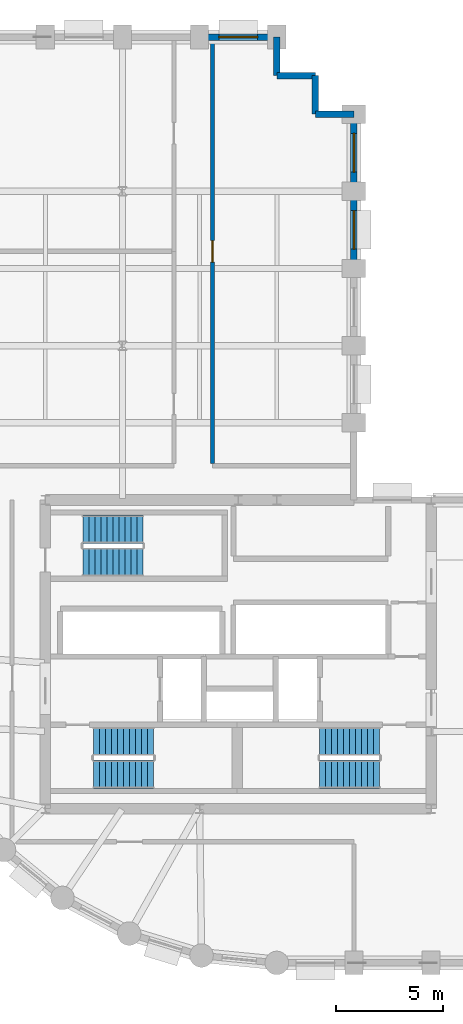
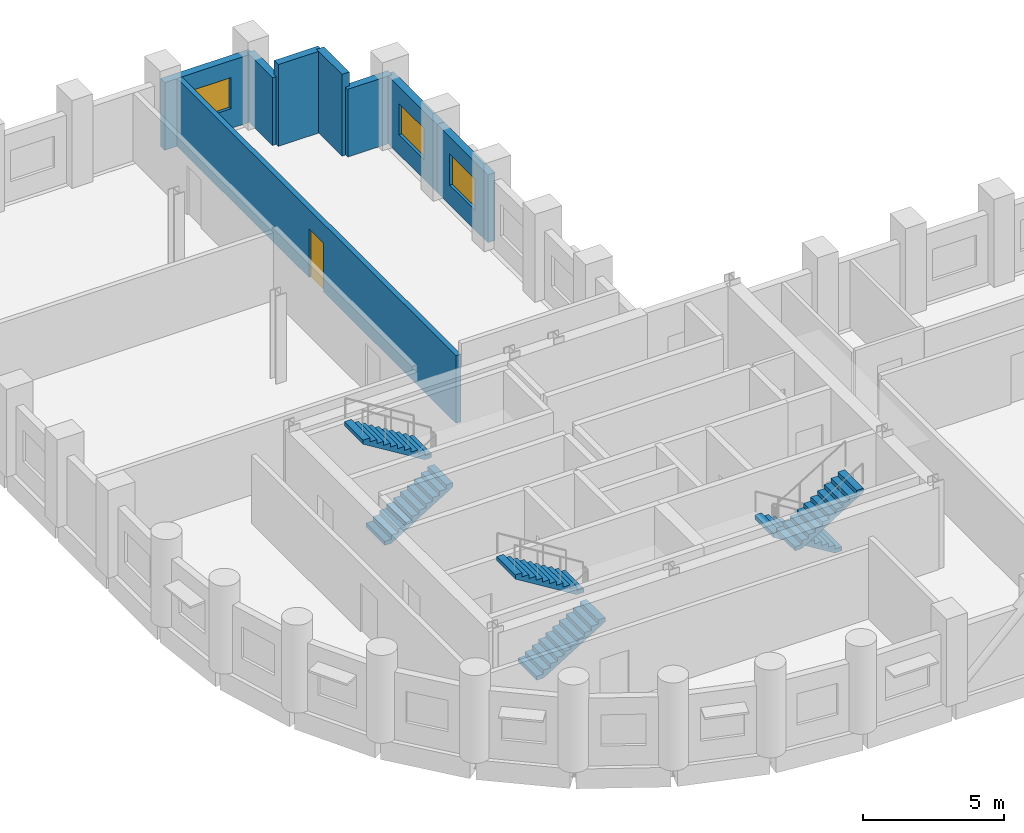
# One storey, part 6 of 8: 8 walls, 6 stair flights, 3 windows, 1 door, 4 openings, 3 elements without a shape of their own.
"""IFC4 building model written with IfcOpenShell, lengths in metres."""

from ifc_helpers import new_model, si_unit, direction, frame, frame_2d, origin, place, context, subcontext, project, spatial, polyline, rectangle, outline, extrude, material, layer, layer_set, type_object, element, fill, aggregate, save


model = new_model("IFC4")

# Units and contexts
model_context = context("Model", 3, precision=1e-05, world=origin(), true_north=direction((0.0, 1.0)))
body_context = subcontext(model_context, "Body", "Model", "MODEL_VIEW")
ifc_project = project(units=[si_unit("LENGTHUNIT", "METRE"), si_unit("AREAUNIT", "SQUARE_METRE"), si_unit("VOLUMEUNIT", "CUBIC_METRE"), si_unit("PLANEANGLEUNIT", "RADIAN"), si_unit("MASSUNIT", "GRAM", prefix="KILO")], contexts=[model_context])

# Site, building, storey
site_placement = place(None, origin())
site = spatial("IfcSite", under=ifc_project, at=site_placement, CompositionType="ELEMENT")
building_placement = place(site_placement, origin())
building = spatial("IfcBuilding", under=site, at=building_placement, Name="Solnavia Interchange Tower", CompositionType="ELEMENT")
storey_placement = place(building_placement, frame((0.0, 0.0, 120.0)))
storey = spatial("IfcBuildingStorey", under=building, at=storey_placement, Name="L29", CompositionType="ELEMENT", Elevation=120.0)

# Wall, opening, window
ifc_material_1 = material(Name="Concrete C40/50", Category="concrete")
ifc_layer_1 = layer(ifc_material_1, 0.300048828125)
ifc_layer_set_1 = layer_set([ifc_layer_1], Name="Concrete C40/50")
wall_type_1 = type_object("IfcWallType", Name="Wall-ExtSpandrel-300", PredefinedType="STANDARD", material=ifc_layer_set_1)
wall_1_placement = place(storey_placement, frame((28.800048828125, 39.60009765625, 0.0), z_axis=(0.0, 0.0, 1.0), x_axis=(0.0, -1.0, 0.0)))
wall_1 = element("IfcWall", 1, at=wall_1_placement, inside=storey, type_object=wall_type_1, Name="EXW-L29-31 Exterior precast spandrel wall", PredefinedType="STANDARD", context=body_context, shape_type="SweptSolid", body=[
    extrude(rectangle(XDim=3.60009765625, YDim=0.300048828125, at=frame_2d((1.800048828125, 0.0))), origin(), (0.0, 0.0, 1.0), 2.929931640625),
])
opening_1_placement = place(wall_1_placement, frame((0.89990234375, 0.0, 0.85009765625)))
opening_1 = element("IfcOpeningElement", 2, at=opening_1_placement, cuts=wall_1, Name="Opening WIN-02", PredefinedType="OPENING", context=body_context, shape_type="SweptSolid", body=[
    extrude(rectangle(XDim=1.800048828125, YDim=1.35009765625, at=frame_2d((0.89990234375, 0.675048828125))), frame((0.0, 0.16015625, 0.0), z_axis=(0.0, -1.0, 0.0), x_axis=(1.0, 0.0, 0.0)), (0.0, 0.0, 1.0), 0.320068359375),
])
ifc_material_2 = material(Name="Thermal-Break Aluminium & Low-E Glass", Category="aluminium")
window_type = type_object("IfcWindowType", Name="Window-Ribbon-1800x1350", PartitioningType="SINGLE_PANEL", PredefinedType="WINDOW", material=ifc_material_2)
window_1_placement = place(opening_1_placement, origin())
window_1 = element("IfcWindow", 3, at=window_1_placement, inside=storey, type_object=window_type, Name="WIN-L29-31 Facade ribbon window", OverallHeight=1.35009765625, OverallWidth=1.800048828125, PartitioningType="SINGLE_PANEL", PredefinedType="WINDOW", context=body_context, shape_type="SweptSolid", body=[
    extrude(rectangle(XDim=1.800048828125, YDim=1.35009765625, at=frame_2d((0.89990234375, 0.675048828125))), frame((0.0, 0.030029296875, 0.0), z_axis=(0.0, -1.0, 0.0), x_axis=(1.0, 0.0, 0.0)), (0.0, 0.0, 1.0), 0.06005859375),
])
fill(opening_1, window_1)

wall_2_placement = place(storey_placement, frame((28.800048828125, 43.199951171875, 0.0), z_axis=(0.0, 0.0, 1.0), x_axis=(0.0, -1.0, 0.0)))
wall_2 = element("IfcWall", 4, at=wall_2_placement, inside=storey, type_object=wall_type_1, Name="EXW-L29-32 Exterior precast spandrel wall", PredefinedType="STANDARD", context=body_context, shape_type="SweptSolid", body=[
    extrude(rectangle(XDim=3.599853515625, YDim=0.300048828125, at=frame_2d((1.7998046875, 0.0))), origin(), (0.0, 0.0, 1.0), 2.929931640625),
])
opening_2_placement = place(wall_2_placement, frame((0.89990234375, 0.0, 0.85009765625)))
opening_2 = element("IfcOpeningElement", 5, at=opening_2_placement, cuts=wall_2, Name="Opening WIN-02", PredefinedType="OPENING", context=body_context, shape_type="SweptSolid", body=[
    extrude(rectangle(XDim=1.800048828125, YDim=1.35009765625, at=frame_2d((0.89990234375, 0.675048828125))), frame((0.0, 0.16015625, 0.0), z_axis=(0.0, -1.0, 0.0), x_axis=(1.0, 0.0, 0.0)), (0.0, 0.0, 1.0), 0.320068359375),
])
window_2_placement = place(opening_2_placement, origin())
window_2 = element("IfcWindow", 6, at=window_2_placement, inside=storey, type_object=window_type, Name="WIN-L29-32 Facade ribbon window", OverallHeight=1.35009765625, OverallWidth=1.800048828125, PartitioningType="SINGLE_PANEL", PredefinedType="WINDOW", context=body_context, shape_type="SweptSolid", body=[
    extrude(rectangle(XDim=1.800048828125, YDim=1.35009765625, at=frame_2d((0.89990234375, 0.675048828125))), frame((0.0, 0.030029296875, 0.0), z_axis=(0.0, -1.0, 0.0), x_axis=(1.0, 0.0, 0.0)), (0.0, 0.0, 1.0), 0.06005859375),
])
fill(opening_2, window_2)

# Walls
wall_3_placement = place(storey_placement, frame((27.0, 43.199951171875, 0.0), z_axis=(0.0, 0.0, 1.0), x_axis=(1.0, 0.0, 0.0)))
element("IfcWall", 7, at=wall_3_placement, inside=storey, type_object=wall_type_1, Name="EXW-L29-33 Exterior precast spandrel wall", PredefinedType="STANDARD", context=body_context, shape_type="SweptSolid", body=[
    extrude(rectangle(XDim=1.800048828125, YDim=0.300048828125, at=frame_2d((0.89990234375, 0.0))), origin(), (0.0, 0.0, 1.0), 2.929931640625),
])
for number, where, z_axis, x_axis, name in (
    (8, (27.0, 43.199951171875, 0.0), (0.0, 0.0, 1.0), (0.0, 1.0, 0.0), "EXW-L29-34 Exterior precast spandrel wall"),
    (9, (25.199951171875, 45.0, 0.0), (0.0, 0.0, 1.0), (1.0, 0.0, 0.0), "EXW-L29-35 Exterior precast spandrel wall"),
):
    element("IfcWall", number, at=place(storey_placement, frame(where, z_axis=z_axis, x_axis=x_axis)), inside=storey, type_object=wall_type_1, Name=name, PredefinedType="STANDARD", context=body_context, shape_type="SweptSolid", body=[
        extrude(rectangle(XDim=1.800048828125, YDim=0.300048828125, at=frame_2d((0.89990234375, 0.0))), origin(), (0.0, 0.0, 1.0), 3.534912109375),
    ])
wall_4_placement = place(storey_placement, frame((25.199951171875, 45.0, 0.0), z_axis=(0.0, 0.0, 1.0), x_axis=(0.0, 1.0, 0.0)))
element("IfcWall", 10, at=wall_4_placement, inside=storey, type_object=wall_type_1, Name="EXW-L29-36 Exterior precast spandrel wall", PredefinedType="STANDARD", context=body_context, shape_type="SweptSolid", body=[
    extrude(rectangle(XDim=1.800048828125, YDim=0.300048828125, at=frame_2d((0.89990234375, 0.0))), origin(), (0.0, 0.0, 1.0), 2.929931640625),
])

# Wall, opening, window
wall_5_placement = place(storey_placement, frame((21.60009765625, 46.800048828125, 0.0), z_axis=(0.0, 0.0, 1.0), x_axis=(1.0, 0.0, 0.0)))
wall_5 = element("IfcWall", 11, at=wall_5_placement, inside=storey, type_object=wall_type_1, Name="EXW-L29-37 Exterior precast spandrel wall", PredefinedType="STANDARD", context=body_context, shape_type="SweptSolid", body=[
    extrude(rectangle(XDim=3.599853515625, YDim=0.300048828125, at=frame_2d((1.7998046875, 0.0))), origin(), (0.0, 0.0, 1.0), 2.929931640625),
])
opening_3_placement = place(wall_5_placement, frame((0.89990234375, 0.0, 0.85009765625)))
opening_3 = element("IfcOpeningElement", 12, at=opening_3_placement, cuts=wall_5, Name="Opening WIN-02", PredefinedType="OPENING", context=body_context, shape_type="SweptSolid", body=[
    extrude(rectangle(XDim=1.800048828125, YDim=1.35009765625, at=frame_2d((0.89990234375, 0.675048828125))), frame((0.0, 0.16015625, 0.0), z_axis=(0.0, -1.0, 0.0), x_axis=(1.0, 0.0, 0.0)), (0.0, 0.0, 1.0), 0.320068359375),
])
window_3_placement = place(opening_3_placement, origin())
window_3 = element("IfcWindow", 13, at=window_3_placement, inside=storey, type_object=window_type, Name="WIN-L29-37 Facade ribbon window", OverallHeight=1.35009765625, OverallWidth=1.800048828125, PartitioningType="SINGLE_PANEL", PredefinedType="WINDOW", context=body_context, shape_type="SweptSolid", body=[
    extrude(rectangle(XDim=1.800048828125, YDim=1.35009765625, at=frame_2d((0.89990234375, 0.675048828125))), frame((0.0, 0.030029296875, 0.0), z_axis=(0.0, -1.0, 0.0), x_axis=(1.0, 0.0, 0.0)), (0.0, 0.0, 1.0), 0.06005859375),
])
fill(opening_3, window_3)

# Wall, opening, door
ifc_layer_2 = layer(ifc_material_1, 0.199951171875)
ifc_layer_set_2 = layer_set([ifc_layer_2], Name="Concrete C40/50")
wall_type_2 = type_object("IfcWallType", Name="Wall-PlantFire-200", PredefinedType="PARTITIONING", material=ifc_layer_set_2)
wall_6_placement = place(storey_placement, frame((22.199951171875, 26.904052734375, 0.0), z_axis=(0.0, 0.0, 1.0), x_axis=(0.0, 1.0, 0.0)))
wall_6 = element("IfcWall", 14, at=wall_6_placement, inside=storey, type_object=wall_type_2, Name="PTW-L29-18 Interior partition wall", PredefinedType="PARTITIONING", context=body_context, shape_type="SweptSolid", body=[
    extrude(rectangle(XDim=19.741943359375, YDim=0.199951171875, at=frame_2d((9.87109375, 0.0))), origin(), (0.0, 0.0, 1.0), 2.929931640625),
])
opening_4_placement = place(wall_6_placement, frame((9.39599609375, 0.0, 0.0)))
opening_4 = element("IfcOpeningElement", 15, at=opening_4_placement, cuts=wall_6, Name="Opening DR-04", PredefinedType="OPENING", context=body_context, shape_type="SweptSolid", body=[
    extrude(rectangle(XDim=1.0, YDim=2.10009765625, at=frame_2d((0.5, 1.050048828125))), frame((0.0, 0.10986328125, 0.0), z_axis=(0.0, -1.0, 0.0), x_axis=(1.0, 0.0, 0.0)), (0.0, 0.0, 1.0), 0.219970703125),
])
ifc_material_3 = material(Name="Steel Fire-Rated Plant Door", Category="steel")
door_type = type_object("IfcDoorType", Name="Door-PlantFire-1000x2100", OperationType="SINGLE_SWING_LEFT", PredefinedType="DOOR", material=ifc_material_3)
door_placement = place(opening_4_placement, origin())
door = element("IfcDoor", 16, at=door_placement, inside=storey, type_object=door_type, Name="DR-L29-09 Interior room door", OperationType="SINGLE_SWING_RIGHT", OverallHeight=2.10009765625, OverallWidth=1.0, PredefinedType="DOOR", context=body_context, shape_type="SweptSolid", body=[
    extrude(rectangle(XDim=1.0, YDim=2.10009765625, at=frame_2d((0.5, 1.050048828125))), frame((0.0, 0.02490234375, 0.0), z_axis=(0.0, -1.0, 0.0), x_axis=(1.0, 0.0, 0.0)), (0.0, 0.0, 1.0), 0.050048828125),
])
fill(opening_4, door)

# Stair, stair flights
stair_type = type_object("IfcStairType", Name="Stair-Dogleg-RC", PredefinedType="HALF_TURN_STAIR", material=ifc_material_1)
stair_1_placement = place(storey_placement, origin())
stair_1 = element("IfcStair", 17, at=stair_1_placement, inside=storey, type_object=stair_type, Name="L29 Core exit stair 1", PredefinedType="HALF_TURN_STAIR")
stair_flight_type = type_object("IfcStairFlightType", Name="StairFlight-RC-150", PredefinedType="STRAIGHT", material=ifc_material_1)
stair_flight_1_placement = place(storey_placement, frame((16.64990234375, 12.409912109375, 0.0), z_axis=(0.0, 0.0, 1.0), x_axis=(1.0, 0.0, 0.0)))
stair_flight_1 = element("IfcStairFlight", 18, at=stair_flight_1_placement, type_object=stair_flight_type, Name="ST-1 flight 1", NumberOfRisers=11, NumberOfTreads=10, PredefinedType="STRAIGHT", RiserHeight=0.172727273, TreadLength=0.28, context=body_context, shape_type="SweptSolid", body=[
    extrude(outline(polyline([(0.0, 0.0), (0.0, 0.172607421875), (0.280029296875, 0.172607421875), (0.280029296875, 0.345458984375), (0.56005859375, 0.345458984375), (0.56005859375, 0.51806640625), (0.840087890625, 0.51806640625), (0.840087890625, 0.69091796875), (1.1201171875, 0.69091796875), (1.1201171875, 0.863525390625), (1.39990234375, 0.863525390625), (1.39990234375, 1.036376953125), (1.679931640625, 1.036376953125), (1.679931640625, 1.208984375), (1.9599609375, 1.208984375), (1.9599609375, 1.3818359375), (2.239990234375, 1.3818359375), (2.239990234375, 1.554443359375), (2.52001953125, 1.554443359375), (2.52001953125, 1.727294921875), (2.800048828125, 1.727294921875), (2.800048828125, 1.89990234375), (2.800048828125, 1.551025390625), (0.285400390625, 0.0), (0.0, 0.0)])), frame((0.0, 0.66015625, 0.0), z_axis=(0.0, -1.0, 0.0), x_axis=(1.0, 0.0, 0.0)), (0.0, 0.0, 1.0), 1.320068359375),
])
stair_flight_2_placement = place(storey_placement, frame((19.449951171875, 13.929931640625, 1.89990234375), z_axis=(0.0, 0.0, 1.0), x_axis=(-1.0, 0.0, 0.0)))
stair_flight_2 = element("IfcStairFlight", 19, at=stair_flight_2_placement, type_object=stair_flight_type, Name="ST-1 flight 2", NumberOfRisers=11, NumberOfTreads=10, PredefinedType="STRAIGHT", RiserHeight=0.172727273, TreadLength=0.28, context=body_context, shape_type="SweptSolid", body=[
    extrude(outline(polyline([(0.0, 0.0), (0.0, 0.172607421875), (0.280029296875, 0.172607421875), (0.280029296875, 0.345458984375), (0.56005859375, 0.345458984375), (0.56005859375, 0.51806640625), (0.840087890625, 0.51806640625), (0.840087890625, 0.69091796875), (1.1201171875, 0.69091796875), (1.1201171875, 0.863525390625), (1.39990234375, 0.863525390625), (1.39990234375, 1.036376953125), (1.679931640625, 1.036376953125), (1.679931640625, 1.208984375), (1.9599609375, 1.208984375), (1.9599609375, 1.3818359375), (2.239990234375, 1.3818359375), (2.239990234375, 1.554443359375), (2.52001953125, 1.554443359375), (2.52001953125, 1.727294921875), (2.800048828125, 1.727294921875), (2.800048828125, 1.89990234375), (2.800048828125, 1.551025390625), (0.285400390625, 0.0), (0.0, 0.0)])), frame((0.0, 0.66015625, 0.0), z_axis=(0.0, -1.0, 0.0), x_axis=(1.0, 0.0, 0.0)), (0.0, 0.0, 1.0), 1.320068359375),
])
aggregate(stair_1, [stair_flight_1, stair_flight_2])

stair_2_placement = place(storey_placement, origin())
stair_2 = element("IfcStair", 20, at=stair_2_placement, inside=storey, type_object=stair_type, Name="L29 Core exit stair 2", PredefinedType="HALF_TURN_STAIR")
stair_flight_3_placement = place(storey_placement, frame((30.0, 13.929931640625, 0.0), z_axis=(0.0, 0.0, 1.0), x_axis=(-1.0, 0.0, 0.0)))
stair_flight_3 = element("IfcStairFlight", 21, at=stair_flight_3_placement, type_object=stair_flight_type, Name="ST-2 flight 1", NumberOfRisers=11, NumberOfTreads=10, PredefinedType="STRAIGHT", RiserHeight=0.172727273, TreadLength=0.28, context=body_context, shape_type="SweptSolid", body=[
    extrude(outline(polyline([(0.0, 0.0), (0.0, 0.172607421875), (0.280029296875, 0.172607421875), (0.280029296875, 0.345458984375), (0.56005859375, 0.345458984375), (0.56005859375, 0.51806640625), (0.840087890625, 0.51806640625), (0.840087890625, 0.69091796875), (1.1201171875, 0.69091796875), (1.1201171875, 0.863525390625), (1.39990234375, 0.863525390625), (1.39990234375, 1.036376953125), (1.679931640625, 1.036376953125), (1.679931640625, 1.208984375), (1.9599609375, 1.208984375), (1.9599609375, 1.3818359375), (2.239990234375, 1.3818359375), (2.239990234375, 1.554443359375), (2.52001953125, 1.554443359375), (2.52001953125, 1.727294921875), (2.800048828125, 1.727294921875), (2.800048828125, 1.89990234375), (2.800048828125, 1.551025390625), (0.285400390625, 0.0), (0.0, 0.0)])), frame((0.0, 0.66015625, 0.0), z_axis=(0.0, -1.0, 0.0), x_axis=(1.0, 0.0, 0.0)), (0.0, 0.0, 1.0), 1.320068359375),
])
stair_flight_4_placement = place(storey_placement, frame((27.199951171875, 12.409912109375, 1.89990234375), z_axis=(0.0, 0.0, 1.0), x_axis=(1.0, 0.0, 0.0)))
stair_flight_4 = element("IfcStairFlight", 22, at=stair_flight_4_placement, type_object=stair_flight_type, Name="ST-2 flight 2", NumberOfRisers=11, NumberOfTreads=10, PredefinedType="STRAIGHT", RiserHeight=0.172727273, TreadLength=0.28, context=body_context, shape_type="SweptSolid", body=[
    extrude(outline(polyline([(0.0, 0.0), (0.0, 0.172607421875), (0.280029296875, 0.172607421875), (0.280029296875, 0.345458984375), (0.56005859375, 0.345458984375), (0.56005859375, 0.51806640625), (0.840087890625, 0.51806640625), (0.840087890625, 0.69091796875), (1.1201171875, 0.69091796875), (1.1201171875, 0.863525390625), (1.39990234375, 0.863525390625), (1.39990234375, 1.036376953125), (1.679931640625, 1.036376953125), (1.679931640625, 1.208984375), (1.9599609375, 1.208984375), (1.9599609375, 1.3818359375), (2.239990234375, 1.3818359375), (2.239990234375, 1.554443359375), (2.52001953125, 1.554443359375), (2.52001953125, 1.727294921875), (2.800048828125, 1.727294921875), (2.800048828125, 1.89990234375), (2.800048828125, 1.551025390625), (0.285400390625, 0.0), (0.0, 0.0)])), frame((0.0, 0.66015625, 0.0), z_axis=(0.0, -1.0, 0.0), x_axis=(1.0, 0.0, 0.0)), (0.0, 0.0, 1.0), 1.320068359375),
])
aggregate(stair_2, [stair_flight_3, stair_flight_4])

stair_3_placement = place(storey_placement, origin())
stair_3 = element("IfcStair", 23, at=stair_3_placement, inside=storey, type_object=stair_type, Name="L29 Core exit stair 3", PredefinedType="HALF_TURN_STAIR")
stair_flight_5_placement = place(storey_placement, frame((16.14990234375, 22.31005859375, 0.0), z_axis=(0.0, 0.0, 1.0), x_axis=(1.0, 0.0, 0.0)))
stair_flight_5 = element("IfcStairFlight", 24, at=stair_flight_5_placement, type_object=stair_flight_type, Name="ST-3 flight 1", NumberOfRisers=11, NumberOfTreads=10, PredefinedType="STRAIGHT", RiserHeight=0.172727273, TreadLength=0.28, context=body_context, shape_type="SweptSolid", body=[
    extrude(outline(polyline([(0.0, 0.0), (0.0, 0.172607421875), (0.280029296875, 0.172607421875), (0.280029296875, 0.345458984375), (0.56005859375, 0.345458984375), (0.56005859375, 0.51806640625), (0.840087890625, 0.51806640625), (0.840087890625, 0.69091796875), (1.1201171875, 0.69091796875), (1.1201171875, 0.863525390625), (1.39990234375, 0.863525390625), (1.39990234375, 1.036376953125), (1.679931640625, 1.036376953125), (1.679931640625, 1.208984375), (1.9599609375, 1.208984375), (1.9599609375, 1.3818359375), (2.239990234375, 1.3818359375), (2.239990234375, 1.554443359375), (2.52001953125, 1.554443359375), (2.52001953125, 1.727294921875), (2.800048828125, 1.727294921875), (2.800048828125, 1.89990234375), (2.800048828125, 1.551025390625), (0.285400390625, 0.0), (0.0, 0.0)])), frame((0.0, 0.66015625, 0.0), z_axis=(0.0, -1.0, 0.0), x_axis=(1.0, 0.0, 0.0)), (0.0, 0.0, 1.0), 1.320068359375),
])
stair_flight_6_placement = place(storey_placement, frame((18.949951171875, 23.830078125, 1.89990234375), z_axis=(0.0, 0.0, 1.0), x_axis=(-1.0, 0.0, 0.0)))
stair_flight_6 = element("IfcStairFlight", 25, at=stair_flight_6_placement, type_object=stair_flight_type, Name="ST-3 flight 2", NumberOfRisers=11, NumberOfTreads=10, PredefinedType="STRAIGHT", RiserHeight=0.172727273, TreadLength=0.28, context=body_context, shape_type="SweptSolid", body=[
    extrude(outline(polyline([(0.0, 0.0), (0.0, 0.172607421875), (0.280029296875, 0.172607421875), (0.280029296875, 0.345458984375), (0.56005859375, 0.345458984375), (0.56005859375, 0.51806640625), (0.840087890625, 0.51806640625), (0.840087890625, 0.69091796875), (1.1201171875, 0.69091796875), (1.1201171875, 0.863525390625), (1.39990234375, 0.863525390625), (1.39990234375, 1.036376953125), (1.679931640625, 1.036376953125), (1.679931640625, 1.208984375), (1.9599609375, 1.208984375), (1.9599609375, 1.3818359375), (2.239990234375, 1.3818359375), (2.239990234375, 1.554443359375), (2.52001953125, 1.554443359375), (2.52001953125, 1.727294921875), (2.800048828125, 1.727294921875), (2.800048828125, 1.89990234375), (2.800048828125, 1.551025390625), (0.285400390625, 0.0), (0.0, 0.0)])), frame((0.0, 0.66015625, 0.0), z_axis=(0.0, -1.0, 0.0), x_axis=(1.0, 0.0, 0.0)), (0.0, 0.0, 1.0), 1.320068359375),
])
aggregate(stair_3, [stair_flight_5, stair_flight_6])

save(model, "model.ifc")
